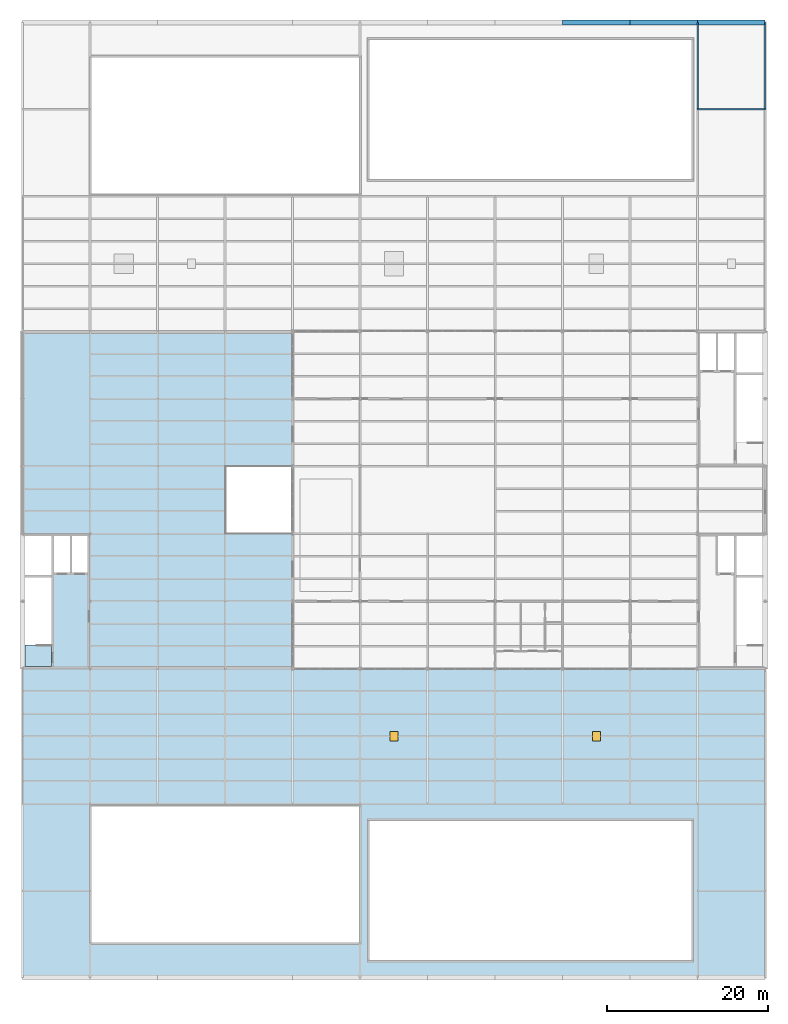
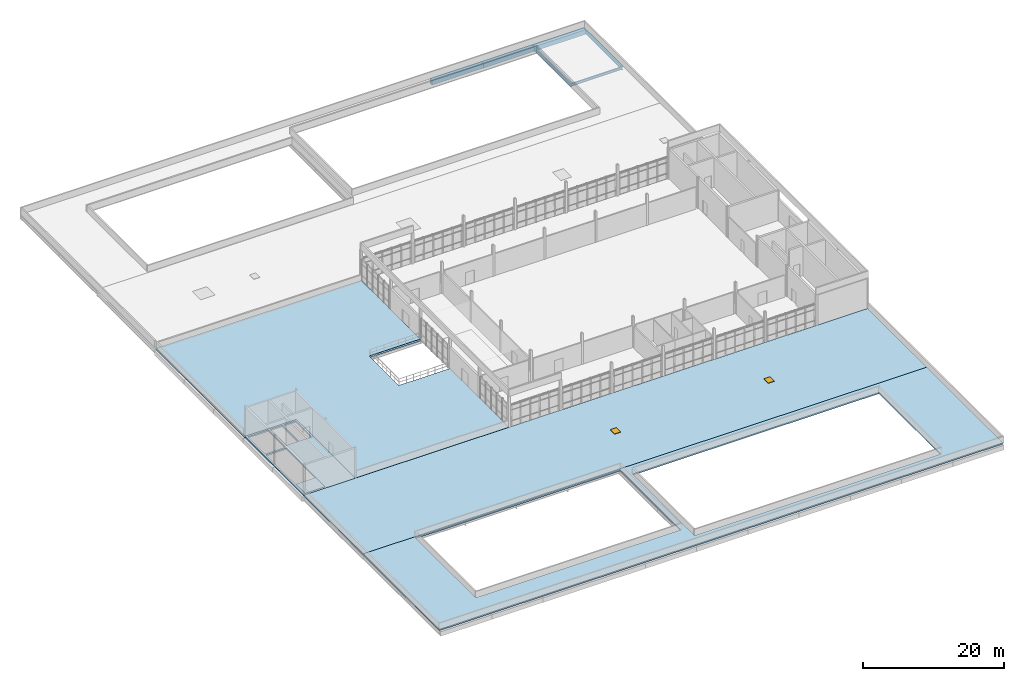
# One storey, part 23 of 33: 6 beams, 5 slabs, 2 doors, 2 openings.
"""IFC4 building model written with IfcOpenShell, lengths in metres."""

import ifcopenshell
import ifcopenshell.guid

model = None  # the IFC model being written
_history = None  # IfcOwnerHistory: only IFC2X3 demands one
_inside = {}  # id of a spatial element -> (the spatial element, [elements in it])
_under = {}  # id of a project, library or spatial element -> (it, [spatial elements below it])
_declared = {}  # id of a project -> (the project, [libraries it declares])
_typed = {}  # id of a type object -> (the type object, [elements of that type])
_made_of = {}  # id of a material, layer set ... -> (it, [elements and type objects made of it])


def new_model(schema):
    """Start an empty IFC model of exactly this schema.

    Asked for "IFC4X3", IfcOpenShell would pick the latest addendum, in which some entities
    have other attributes; the version numbers below select the first issue.
    IFC2X3 requires an IfcOwnerHistory on every rooted entity: one is made here for all.
    """
    global model, _history
    if schema == "IFC4X3":
        model = ifcopenshell.file(schema_version=(4, 3, 0, 0))
    else:
        model = ifcopenshell.file(schema=schema)
    _inside.clear()
    _under.clear()
    _declared.clear()
    _typed.clear()
    _made_of.clear()
    _history = None
    if model.schema == "IFC2X3":
        org = make("IfcOrganization", Name="unknown")
        user = make(
            "IfcPersonAndOrganization",
            ThePerson=make("IfcPerson", FamilyName="unknown"),
            TheOrganization=org,
        )
        app = make(
            "IfcApplication",
            ApplicationDeveloper=org,
            Version="unknown",
            ApplicationFullName="unknown",
            ApplicationIdentifier="unknown",
        )
        _history = make(
            "IfcOwnerHistory",
            OwningUser=user,
            OwningApplication=app,
            ChangeAction="ADDED",
            CreationDate=0,
        )
    return model


def make(cls, **values):
    """One entity of the class cls with the attributes given. An attribute that is None is left unset."""
    return model.create_entity(
        cls, **{name: value for name, value in values.items() if value is not None}
    )


def rooted(cls, **values):
    """An entity with a GlobalId (a new one), such as an element, a storey or a relation."""
    return make(cls, GlobalId=ifcopenshell.guid.new(), OwnerHistory=_history, **values)


def si_unit(unit_type, name, prefix=None):
    """IfcSIUnit, for example si_unit("LENGTHUNIT", "METRE", prefix="MILLI")."""
    return make("IfcSIUnit", UnitType=unit_type, Prefix=prefix, Name=name)


def assignment(units):
    """IfcUnitAssignment: the units of a project."""
    return None if units is None else make("IfcUnitAssignment", Units=units)


def point(xyz):
    """IfcCartesianPoint."""
    return None if xyz is None else make("IfcCartesianPoint", Coordinates=xyz)


def direction(xyz):
    """IfcDirection."""
    return None if xyz is None else make("IfcDirection", DirectionRatios=xyz)


def frame(location, z_axis=None, x_axis=None):
    """IfcAxis2Placement3D, a coordinate frame: its origin and axes. An axis left out is left unset."""
    return make(
        "IfcAxis2Placement3D",
        Location=point(location),
        Axis=direction(z_axis),
        RefDirection=direction(x_axis),
    )


def frame_2d(location, x_axis=None):
    """IfcAxis2Placement2D, a coordinate frame in the plane: its origin and x axis."""
    return make(
        "IfcAxis2Placement2D", Location=point(location), RefDirection=direction(x_axis)
    )


def origin():
    """The frame at (0, 0, 0) with its axes left unset."""
    return frame((0.0, 0.0, 0.0))


def origin_2d():
    """The frame at (0, 0) in the plane with its x axis left unset."""
    return frame_2d((0.0, 0.0))


def place(relative_to, where):
    """IfcLocalPlacement: puts the frame where relative to a parent placement (None: the world)."""
    return make(
        "IfcLocalPlacement", PlacementRelTo=relative_to, RelativePlacement=where
    )


def context(
    kind, dimensions, precision=None, world=None, true_north=None, identifier=None
):
    """IfcGeometricRepresentationContext, for example the 3D "Model" context."""
    return make(
        "IfcGeometricRepresentationContext",
        ContextIdentifier=identifier,
        ContextType=kind,
        CoordinateSpaceDimension=dimensions,
        Precision=precision,
        WorldCoordinateSystem=world,
        TrueNorth=true_north,
    )


def subcontext(parent, identifier, kind, view, scale=None):
    """IfcGeometricRepresentationSubContext, for example "Body" below "Model"."""
    return make(
        "IfcGeometricRepresentationSubContext",
        ContextIdentifier=identifier,
        ContextType=kind,
        ParentContext=parent,
        TargetScale=scale,
        TargetView=view,
    )


def project(units=None, contexts=None):
    """IfcProject with its units and contexts."""
    return rooted(
        "IfcProject",
        Name="project",
        RepresentationContexts=contexts,
        UnitsInContext=assignment(units),
    )


def spatial(cls, under=None, at=None, **own):
    """A site, building, storey or space (cls), placed at a placement, below another one or the project."""
    s = rooted(cls, ObjectPlacement=at, **own)
    if under is not None:
        _under.setdefault(under.id(), (under, []))[1].append(s)
    return s


def polyline(points):
    """IfcPolyline through the points."""
    return make("IfcPolyline", Points=[point(p) for p in points])


def profile(cls, at=None, kind="AREA", **sizes):
    """A parametric profile (cls). Its sizes go by their IFC names, for example OverallWidth=200.0."""
    return make(cls, ProfileType=kind, Position=at, **sizes)


def rectangle(**sizes):
    """IfcRectangleProfileDef."""
    return profile("IfcRectangleProfileDef", **sizes)


def i_section(**sizes):
    """IfcIShapeProfileDef."""
    return profile("IfcIShapeProfileDef", **sizes)


def outline(outer, holes=None, kind="AREA"):
    """IfcArbitraryClosedProfileDef: a profile drawn as a closed curve; with holes, ...WithVoids."""
    if holes is None:
        return make("IfcArbitraryClosedProfileDef", ProfileType=kind, OuterCurve=outer)
    return make(
        "IfcArbitraryProfileDefWithVoids",
        ProfileType=kind,
        OuterCurve=outer,
        InnerCurves=holes,
    )


def extrude(swept, where, along, depth):
    """IfcExtrudedAreaSolid: the profile swept, set in the frame where, extruded along a direction by depth."""
    return make(
        "IfcExtrudedAreaSolid",
        SweptArea=swept,
        Position=where,
        ExtrudedDirection=direction(along),
        Depth=depth,
    )


def shape(context_of_items, identifier, shape_type, items):
    """IfcShapeRepresentation: the items that make up one representation, for example the "Body"."""
    return make(
        "IfcShapeRepresentation",
        ContextOfItems=context_of_items,
        RepresentationIdentifier=identifier,
        RepresentationType=shape_type,
        Items=items,
    )


def material(Name=None, Category=None):
    """IfcMaterial."""
    return make("IfcMaterial", Name=Name, Category=Category)


def layer(
    of_material, thickness, ventilated=None, Name=None, Category=None, Priority=None
):
    """IfcMaterialLayer: one layer of a wall or slab, of a material (None: an air gap)."""
    return make(
        "IfcMaterialLayer",
        Material=of_material,
        LayerThickness=thickness,
        IsVentilated=ventilated,
        Name=Name,
        Category=Category,
        Priority=Priority,
    )


def layer_set(layers, Name=None):
    """IfcMaterialLayerSet."""
    return make("IfcMaterialLayerSet", MaterialLayers=layers, LayerSetName=Name)


def material_profile(
    of_material, cross_section, Name=None, Category=None, Priority=None
):
    """IfcMaterialProfile: a cross section and its material."""
    return make(
        "IfcMaterialProfile",
        Name=Name,
        Material=of_material,
        Profile=cross_section,
        Priority=Priority,
        Category=Category,
    )


def profile_set(profiles, Name=None, composite=None):
    """IfcMaterialProfileSet."""
    return make(
        "IfcMaterialProfileSet",
        Name=Name,
        MaterialProfiles=profiles,
        CompositeProfile=composite,
    )


def made_of(thing, what):
    """Note that an element or type object is made of a material, layer set ...; save() writes the relation."""
    if what is not None:
        _made_of.setdefault(what.id(), (what, []))[1].append(thing)
    return thing


def type_object(cls, material=None, **own):
    """A type object (cls), such as IfcWallType, which elements share."""
    return made_of(rooted(cls, **own), material)


def element(
    cls,
    number,
    at=None,
    inside=None,
    cuts=None,
    type_object=None,
    material=None,
    context=None,
    identifier="Body",
    shape_type=None,
    held_by="IfcProductDefinitionShape",
    body=None,
    shapes=None,
    **own,
):
    """One element of the class cls, such as IfcWall. Its Tag is "e" and its number.

    at: its placement. inside: the storey or other place that contains it. cuts: it is an
    opening in that element (IfcRelVoidsElement). A single representation is given by context,
    identifier, shape_type and body (its items); several are given by shapes. held_by: the class
    of the entity that holds the representations. save() writes the other relations.
    """
    e = rooted(cls, Tag="e%d" % number, ObjectPlacement=at, **own)
    if body is not None:
        shapes = [shape(context, identifier, shape_type, body)]
    if shapes is not None:
        e.Representation = make(held_by, Representations=shapes)
    if inside is not None:
        _inside.setdefault(inside.id(), (inside, []))[1].append(e)
    if cuts is not None:
        rooted(
            "IfcRelVoidsElement", RelatingBuildingElement=cuts, RelatedOpeningElement=e
        )
    if type_object is not None:
        _typed.setdefault(type_object.id(), (type_object, []))[1].append(e)
    return made_of(e, material)


def fill(opening, filler):
    """IfcRelFillsElement: the door or window that sits in an opening."""
    return rooted(
        "IfcRelFillsElement",
        RelatingOpeningElement=opening,
        RelatedBuildingElement=filler,
    )


def aggregate(whole, parts):
    """IfcRelAggregates: a whole, such as a stair, and the parts it consists of."""
    return rooted("IfcRelAggregates", RelatingObject=whole, RelatedObjects=parts)


def save(model, path):
    """Write the relations noted so far, then the file.

    IfcRelAggregates (storeys below a building ...), IfcRelContainedInSpatialStructure (elements
    in a storey), IfcRelDefinesByType, IfcRelAssociatesMaterial and IfcRelDeclares: one each for
    every whole, place, type object, material and project.
    """
    for whole, parts in _under.values():
        aggregate(whole, parts)
    for where, things in _inside.values():
        rooted(
            "IfcRelContainedInSpatialStructure",
            RelatedElements=things,
            RelatingStructure=where,
        )
    for kind, things in _typed.values():
        rooted("IfcRelDefinesByType", RelatedObjects=things, RelatingType=kind)
    for what, things in _made_of.values():
        rooted("IfcRelAssociatesMaterial", RelatedObjects=things, RelatingMaterial=what)
    for by, libraries in _declared.values():
        rooted("IfcRelDeclares", RelatingContext=by, RelatedDefinitions=libraries)
    model.write(path)


model = new_model("IFC4")

# Units and contexts
model_context = context("Model", 3, precision=1e-05, world=origin(), true_north=direction((0.0, 1.0)))
body_context = subcontext(model_context, "Body", "Model", "MODEL_VIEW")
ifc_project = project(units=[si_unit("LENGTHUNIT", "METRE"), si_unit("AREAUNIT", "SQUARE_METRE"), si_unit("VOLUMEUNIT", "CUBIC_METRE"), si_unit("PLANEANGLEUNIT", "RADIAN"), si_unit("MASSUNIT", "GRAM", prefix="KILO"), si_unit("THERMODYNAMICTEMPERATUREUNIT", "KELVIN"), si_unit("POWERUNIT", "WATT")], contexts=[model_context])

# Site, building, storey
site_placement = place(None, origin())
site = spatial("IfcSite", under=ifc_project, at=site_placement, CompositionType="ELEMENT")
building_placement = place(site_placement, origin())
building = spatial("IfcBuilding", under=site, at=building_placement, Name="Tembeka Court Mobility Hub", CompositionType="ELEMENT")
storey_placement = place(building_placement, frame((0.0, 0.0, 23.39990234375)))
storey = spatial("IfcBuildingStorey", under=building, at=storey_placement, Name="L06", CompositionType="ELEMENT", Elevation=23.39990234375)

# Beams
ifc_material_1 = material(Name="Steel S355", Category="steel")
ifc_material_profile_1 = material_profile(ifc_material_1, i_section(OverallWidth=0.18994140625, OverallDepth=0.45703125, WebThickness=0.009033203125, FlangeThickness=0.014404296875, FilletRadius=0.01025390625, at=origin_2d()), Name="UKB 457x191x74")
ifc_profile_set_1 = profile_set([ifc_material_profile_1], Name="Steel S355")
beam_type_1 = type_object("IfcBeamType", Name="BM-B01", PredefinedType="BEAM", material=ifc_profile_set_1)
beam_1_placement = place(storey_placement, frame((84.0, 108.0, -0.45849609375), z_axis=(1.0, 0.0, 0.0), x_axis=(0.0, 1.0, 0.0)))
element("IfcBeam", 1, at=beam_1_placement, inside=storey, type_object=beam_type_1, Name="Beam B01 (BM-L06-X3185)", PredefinedType="BEAM", context=body_context, shape_type="SweptSolid", body=[
    extrude(i_section(OverallWidth=0.18994140625, OverallDepth=0.45703125, WebThickness=0.009033203125, FlangeThickness=0.014404296875, FilletRadius=0.01025390625, at=origin_2d()), origin(), (0.0, 0.0, 1.0), 8.39990234375),
])
ifc_material_profile_2 = material_profile(ifc_material_1, i_section(OverallWidth=0.22900390625, OverallDepth=0.612060546875, WebThickness=0.011962890625, FlangeThickness=0.01953125, FilletRadius=0.0126953125, at=origin_2d()), Name="UKB 610x229x125")
ifc_profile_set_2 = profile_set([ifc_material_profile_2], Name="Steel S355")
beam_type_2 = type_object("IfcBeamType", Name="BM-G02", PredefinedType="USERDEFINED", material=ifc_profile_set_2)
for number, where, z_axis, x_axis, name in (
    (2, (84.0, 108.0, -0.535888671875), (0.0, 1.0, 0.0), (-1.0, 0.0, 0.0), "Beam G02 (BM-L06-Y3285)"),
    (3, (92.39990234375, 108.0, -0.535888671875), (0.0, 1.0, 0.0), (-1.0, 0.0, 0.0), "Beam G02 (BM-L06-Y3296)"),
):
    element("IfcBeam", number, at=place(storey_placement, frame(where, z_axis=z_axis, x_axis=x_axis)), inside=storey, type_object=beam_type_2, Name=name, ObjectType="GIRDER", PredefinedType="USERDEFINED", context=body_context, shape_type="SweptSolid", body=[
        extrude(i_section(OverallWidth=0.22900390625, OverallDepth=0.612060546875, WebThickness=0.011962890625, FlangeThickness=0.01953125, FilletRadius=0.0126953125, at=origin_2d()), origin(), (0.0, 0.0, 1.0), 10.800048828125),
    ])
ifc_material_2 = material(Name="Precast concrete C45/55", Category="concrete")
ifc_material_profile_3 = material_profile(ifc_material_2, rectangle(XDim=0.64990234375, YDim=0.800048828125, at=origin_2d()), Name="PC-SP 650x800")
ifc_profile_set_3 = profile_set([ifc_material_profile_3], Name="Precast concrete C45/55")
beam_type_3 = type_object("IfcBeamType", Name="BM-SP01", PredefinedType="SPANDREL", material=ifc_profile_set_3)
beam_2_placement = place(storey_placement, frame((67.199951171875, 118.800048828125, -0.6298828125), z_axis=(1.0, 0.0, 0.0), x_axis=(0.0, 1.0, 0.0)))
element("IfcBeam", 4, at=beam_2_placement, inside=storey, type_object=beam_type_3, Name="Beam SP01 (BM-L06-X3193)", PredefinedType="SPANDREL", context=body_context, shape_type="SweptSolid", body=[
    extrude(rectangle(XDim=0.64990234375, YDim=0.800048828125, at=origin_2d()), origin(), (0.0, 0.0, 1.0), 8.400146484375),
])
for number, where, z_axis, x_axis, name in (
    (5, (75.60009765625, 118.800048828125, -0.6298828125), (1.0, 0.0, 0.0), (0.0, 1.0, 0.0), "Beam SP01 (BM-L06-X3194)"),
    (6, (84.0, 118.800048828125, -0.6298828125), (1.0, 0.0, 0.0), (0.0, 1.0, 0.0), "Beam SP01 (BM-L06-X3195)"),
):
    element("IfcBeam", number, at=place(storey_placement, frame(where, z_axis=z_axis, x_axis=x_axis)), inside=storey, type_object=beam_type_3, Name=name, PredefinedType="SPANDREL", context=body_context, shape_type="SweptSolid", body=[
        extrude(rectangle(XDim=0.64990234375, YDim=0.800048828125, at=origin_2d()), origin(), (0.0, 0.0, 1.0), 8.39990234375),
    ])

# Slabs
ifc_material_3 = material(Name="Concrete C40/50", Category="concrete")
ifc_layer_1 = layer(ifc_material_3, 0.25)
ifc_layer_set_1 = layer_set([ifc_layer_1], Name="Concrete C40/50")
slab_type_1 = type_object("IfcSlabType", Name="SL-FL04", PredefinedType="FLOOR", material=ifc_layer_set_1)
slab_1_placement = place(storey_placement, frame((0.0, 0.0, -0.25)))
element("IfcSlab", 7, at=slab_1_placement, inside=storey, type_object=slab_type_1, Name="L06 K1 stair-lift arrival floor slab", PredefinedType="FLOOR", context=body_context, shape_type="SweptSolid", body=[
    extrude(outline(polyline([(0.0, 38.39990234375), (8.39990234375, 38.39990234375), (8.39990234375, 55.199951171875), (0.0, 55.199951171875), (0.0, 38.39990234375)]), holes=[polyline([(0.300048828125, 49.75), (3.60009765625, 49.75), (3.60009765625, 38.699951171875), (0.300048828125, 38.699951171875), (0.300048828125, 49.75)]), polyline([(3.89990234375, 54.89990234375), (5.89990234375, 54.89990234375), (5.89990234375, 50.35009765625), (3.89990234375, 50.35009765625), (3.89990234375, 54.89990234375)]), polyline([(6.10009765625, 54.89990234375), (8.10009765625, 54.89990234375), (8.10009765625, 50.35009765625), (6.10009765625, 50.35009765625), (6.10009765625, 54.89990234375)]), polyline([(0.300048828125, 54.89990234375), (3.60009765625, 54.89990234375), (3.60009765625, 50.050048828125), (0.300048828125, 50.050048828125), (0.300048828125, 54.89990234375)])]), origin(), (0.0, 0.0, 1.0), 0.25),
])
ifc_layer_2 = layer(ifc_material_3, 0.199951171875)
ifc_layer_set_2 = layer_set([ifc_layer_2], Name="Concrete C40/50")
slab_type_2 = type_object("IfcSlabType", Name="SL-LD01", PredefinedType="LANDING", material=ifc_layer_set_2)
slab_2_placement = place(storey_placement, frame((0.0, 0.0, -0.25)))
element("IfcSlab", 8, at=slab_2_placement, inside=storey, type_object=slab_type_2, Name="Stair ST01 L06 floor landing slab", PredefinedType="LANDING", context=body_context, shape_type="SweptSolid", body=[
    extrude(outline(polyline([(0.300048828125, 38.699951171875), (3.60009765625, 38.699951171875), (3.60009765625, 41.35009765625), (0.300048828125, 41.35009765625), (0.300048828125, 38.699951171875)])), origin(), (0.0, 0.0, 1.0), 0.25),
])
ifc_layer_3 = layer(ifc_material_3, 0.22998046875)
ifc_layer_set_3 = layer_set([ifc_layer_3], Name="Concrete C40/50")
slab_type_3 = type_object("IfcSlabType", Name="SL-RF01", PredefinedType="ROOF", material=ifc_layer_set_3)
slab_3_placement = place(storey_placement, frame((0.0, 0.0, -0.22998046875)))
element("IfcSlab", 9, at=slab_3_placement, inside=storey, type_object=slab_type_3, Name="L06 south ramp drum and gallery roof slab", PredefinedType="ROOF", context=body_context, shape_type="SweptSolid", body=[
    extrude(outline(polyline([(0.0, 0.0), (92.39990234375, 0.0), (92.39990234375, 21.60009765625), (0.0, 21.60009765625), (0.0, 0.0)]), holes=[polyline([(8.39990234375, 21.39990234375), (42.0, 21.39990234375), (42.0, 4.199951171875), (8.39990234375, 4.199951171875), (8.39990234375, 21.39990234375)]), polyline([(43.0, 19.60009765625), (83.39990234375, 19.60009765625), (83.39990234375, 2.0), (43.0, 2.0), (43.0, 19.60009765625)])]), origin(), (0.0, 0.0, 1.0), 0.22998046875),
])

# Slab, openings, doors
slab_4_placement = place(storey_placement, frame((0.0, 0.0, -0.22998046875)))
slab_4 = element("IfcSlab", 10, at=slab_4_placement, inside=storey, type_object=slab_type_3, Name="L06 south basket deck roof slab", PredefinedType="ROOF", context=body_context, shape_type="SweptSolid", body=[
    extrude(outline(polyline([(0.0, 21.60009765625), (92.39990234375, 21.60009765625), (92.39990234375, 38.39990234375), (0.0, 38.39990234375), (0.0, 21.60009765625)])), origin(), (0.0, 0.0, 1.0), 0.22998046875),
])
opening_1_placement = place(slab_4_placement, frame((46.199951171875, 30.0, -0.010009765625)))
opening_1 = element("IfcOpeningElement", 11, at=opening_1_placement, cuts=slab_4, Name="Opening HD01", PredefinedType="OPENING", context=body_context, shape_type="SweptSolid", body=[
    extrude(rectangle(XDim=1.0, YDim=1.199951171875, at=origin_2d()), origin(), (0.0, 0.0, 1.0), 0.320068359375),
])
opening_2_placement = place(slab_4_placement, frame((71.39990234375, 30.0, -0.010009765625)))
opening_2 = element("IfcOpeningElement", 12, at=opening_2_placement, cuts=slab_4, Name="Opening HD01", PredefinedType="OPENING", context=body_context, shape_type="SweptSolid", body=[
    extrude(rectangle(XDim=1.0, YDim=1.199951171875, at=origin_2d()), origin(), (0.0, 0.0, 1.0), 0.320068359375),
])
ifc_material_4 = material(Name="Powder-coated aluminium glazed doorset", Category="aluminium")
door_type = type_object("IfcDoorType", Name="DR-HD01", OperationType="SINGLE_SWING_LEFT", PredefinedType="TRAPDOOR", material=ifc_material_4)
door_1_placement = place(opening_1_placement, frame((0.0, 0.0, 0.239990234375)))
door_1 = element("IfcDoor", 13, at=door_1_placement, inside=storey, type_object=door_type, Name="Roof maintenance access hatch HD01-04", OperationType="SINGLE_SWING_LEFT", OverallHeight=1.199951171875, OverallWidth=1.0, PredefinedType="TRAPDOOR", context=body_context, shape_type="SweptSolid", body=[
    extrude(rectangle(XDim=1.0, YDim=1.199951171875, at=origin_2d()), origin(), (0.0, 0.0, 1.0), 0.06005859375),
])
fill(opening_1, door_1)
door_2_placement = place(opening_2_placement, frame((0.0, 0.0, 0.239990234375)))
door_2 = element("IfcDoor", 14, at=door_2_placement, inside=storey, type_object=door_type, Name="Roof maintenance access hatch HD01-05", OperationType="SINGLE_SWING_LEFT", OverallHeight=1.199951171875, OverallWidth=1.0, PredefinedType="TRAPDOOR", context=body_context, shape_type="SweptSolid", body=[
    extrude(rectangle(XDim=1.0, YDim=1.199951171875, at=origin_2d()), origin(), (0.0, 0.0, 1.0), 0.06005859375),
])
fill(opening_2, door_2)

# Slab
ifc_layer_4 = layer(ifc_material_3, 0.320068359375)
ifc_layer_set_4 = layer_set([ifc_layer_4], Name="Concrete C40/50")
slab_type_4 = type_object("IfcSlabType", Name="SL-TR01", PredefinedType="FLOOR", material=ifc_layer_set_4)
slab_5_placement = place(storey_placement, frame((0.0, 0.0, -0.31982421875)))
element("IfcSlab", 15, at=slab_5_placement, inside=storey, type_object=slab_type_4, Name="L06 rooftop sports viewing terrace slab", PredefinedType="FLOOR", context=body_context, shape_type="SweptSolid", body=[
    extrude(outline(polyline([(8.39990234375, 38.39990234375), (33.60009765625, 38.39990234375), (33.60009765625, 55.199951171875), (25.199951171875, 55.199951171875), (25.199951171875, 63.60009765625), (33.60009765625, 63.60009765625), (33.60009765625, 80.39990234375), (0.0, 80.39990234375), (0.0, 55.199951171875), (8.39990234375, 55.199951171875), (8.39990234375, 38.39990234375)])), origin(), (0.0, 0.0, 1.0), 0.31982421875),
])

save(model, "model.ifc")
